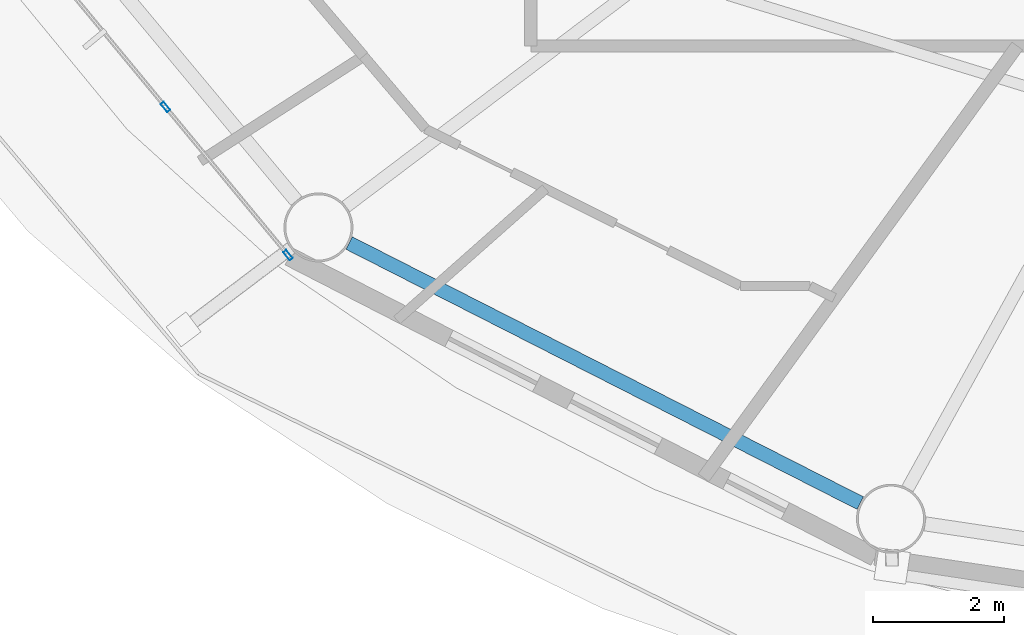
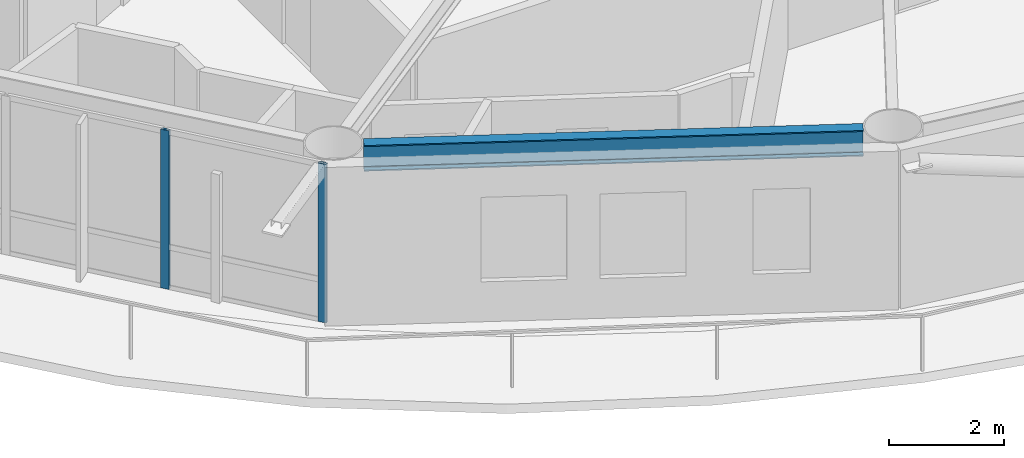
# One storey, part 2 of 29: 2 members, 1 beam, 1 element without a shape of its own.
"""IFC4 building model written with IfcOpenShell, lengths in metres."""

from ifc_helpers import new_model, si_unit, direction, frame, origin, origin_2d, place, context, subcontext, project, spatial, hollow_rectangle, i_section, extrude, material, layer, layer_set, material_profile, profile_set, type_object, element, aggregate, save


model = new_model("IFC4")

# Units and contexts
model_context = context("Model", 3, precision=1e-05, world=origin(), true_north=direction((0.0, 1.0)))
body_context = subcontext(model_context, "Body", "Model", "MODEL_VIEW")
ifc_project = project(units=[si_unit("LENGTHUNIT", "METRE"), si_unit("AREAUNIT", "SQUARE_METRE"), si_unit("VOLUMEUNIT", "CUBIC_METRE"), si_unit("PLANEANGLEUNIT", "RADIAN"), si_unit("MASSUNIT", "GRAM", prefix="KILO")], contexts=[model_context])

# Site, building, storey
site_placement = place(None, origin())
site = spatial("IfcSite", under=ifc_project, at=site_placement, CompositionType="ELEMENT")
building_placement = place(site_placement, origin())
building = spatial("IfcBuilding", under=site, at=building_placement, Name="Sarneth Arch Tower", CompositionType="ELEMENT")
storey_placement = place(building_placement, frame((0.0, 0.0, 165.0)))
storey = spatial("IfcBuildingStorey", under=building, at=storey_placement, Name="L41", CompositionType="ELEMENT", Elevation=165.0)

# Beam
ifc_material_1 = material(Name="Steel S355", Category="steel")
ifc_material_profile_1 = material_profile(ifc_material_1, i_section(OverallWidth=0.214111328125, OverallDepth=0.549072265625, WebThickness=0.0146484375, FlangeThickness=0.023681640625, FilletRadius=0.01806640625, at=origin_2d()), Name="W530x138")
ifc_profile_set_1 = profile_set([ifc_material_profile_1], Name="Steel S355")
beam_type = type_object("IfcBeamType", Name="BM-RAD-530A", PredefinedType="BEAM", material=ifc_profile_set_1)
beam_placement = place(storey_placement, frame((29.334228515625, 27.301513671875, 3.10546875), z_axis=(0.891254220899, -0.453504039374, 0.0), x_axis=(0.453504039374, 0.891254220899, 0.0)))
element("IfcBeam", 1, at=beam_placement, inside=storey, type_object=beam_type, Name="L41 Perimeter spandrel beam 11", PredefinedType="BEAM", context=body_context, shape_type="SweptSolid", body=[
    extrude(i_section(OverallWidth=0.214111328125, OverallDepth=0.549072265625, WebThickness=0.0146484375, FlangeThickness=0.023681640625, FilletRadius=0.01806640625, at=origin_2d()), origin(), (0.0, 0.0, 1.0), 8.724853515625),
])

# Curtain wall, members
ifc_material_2 = material(Name="Anodised aluminium Type AA25 and solar-control low-e laminated IGU", Category="aluminium")
ifc_layer = layer(ifc_material_2, 0.169921875)
ifc_layer_set = layer_set([ifc_layer], Name="Anodised aluminium Type AA25 and solar-control low-e laminated IGU")
curtain_wall_type = type_object("IfcCurtainWallType", Name="CW-RES-MID", PredefinedType="NOTDEFINED", material=ifc_layer_set)
curtain_wall_placement = place(storey_placement, origin())
curtain_wall = element("IfcCurtainWall", 2, at=curtain_wall_placement, inside=storey, type_object=curtain_wall_type, Name="L41 Unitised curtain wall facet 10", PredefinedType="NOTDEFINED")
ifc_material_3 = material(Name="Anodised Aluminium 6063-T6", Category="aluminium")
ifc_material_profile_2 = material_profile(ifc_material_3, hollow_rectangle(XDim=0.06005859375, YDim=0.159912109375, WallThickness=0.00390625, at=origin_2d()), Name="AL-MULL-160x60x4")
ifc_profile_set_2 = profile_set([ifc_material_profile_2], Name="Anodised Aluminium 6063-T6")
member_type = type_object("IfcMemberType", Name="CW-MULLION", PredefinedType="MULLION", material=ifc_profile_set_2)
member_1_placement = place(storey_placement, frame((26.53857421875, 29.373779296875, 0.0), z_axis=(0.0, 0.0, 1.0), x_axis=(0.770590741276, 0.637330298558, 0.0)))
member_1 = element("IfcMember", 3, at=member_1_placement, type_object=member_type, Name="CW-SYS-5 mullion 3", PredefinedType="MULLION", context=body_context, shape_type="SweptSolid", body=[
    extrude(hollow_rectangle(XDim=0.06005859375, YDim=0.159912109375, WallThickness=0.00390625, at=origin_2d()), origin(), (0.0, 0.0, 1.0), 3.3798828125),
])
member_2_placement = place(storey_placement, frame((28.40478515625, 27.1171875, 0.0), z_axis=(0.0, 0.0, 1.0), x_axis=(0.770590741276, 0.637330298558, 0.0)))
member_2 = element("IfcMember", 4, at=member_2_placement, type_object=member_type, Name="CW-SYS-5 mullion 4", PredefinedType="MULLION", context=body_context, shape_type="SweptSolid", body=[
    extrude(hollow_rectangle(XDim=0.06005859375, YDim=0.159912109375, WallThickness=0.00390625, at=origin_2d()), origin(), (0.0, 0.0, 1.0), 3.3798828125),
])
aggregate(curtain_wall, [member_1, member_2])

save(model, "model.ifc")
